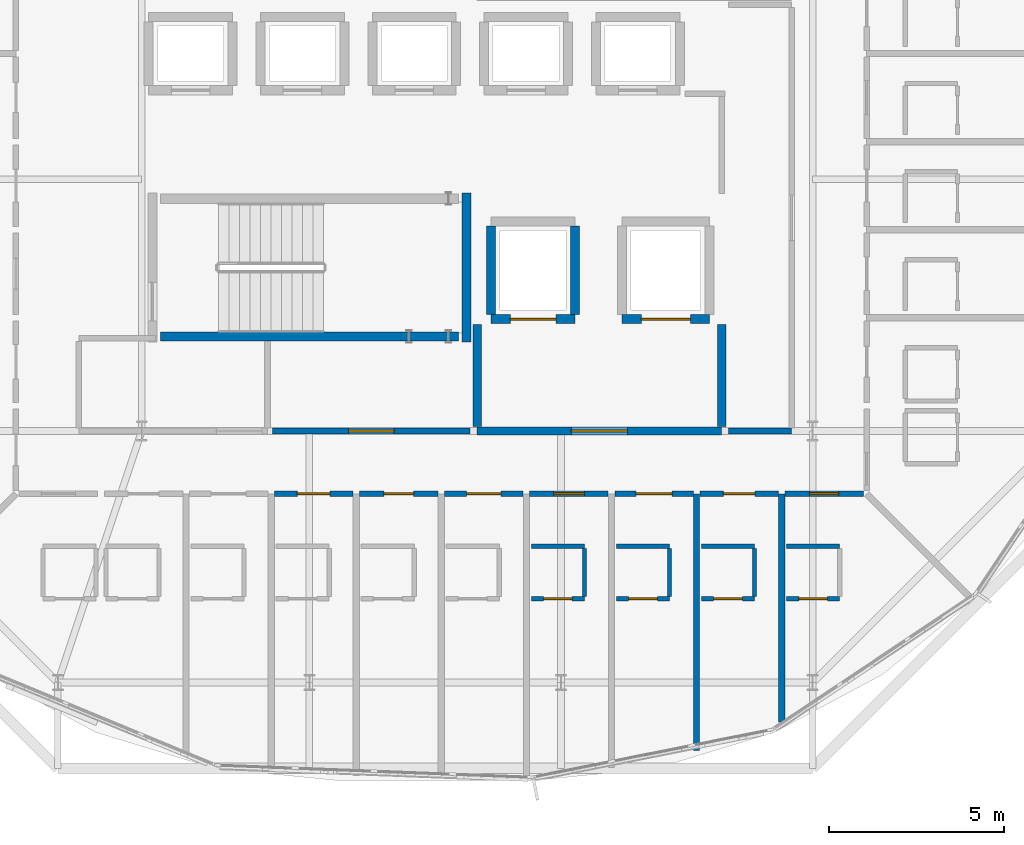
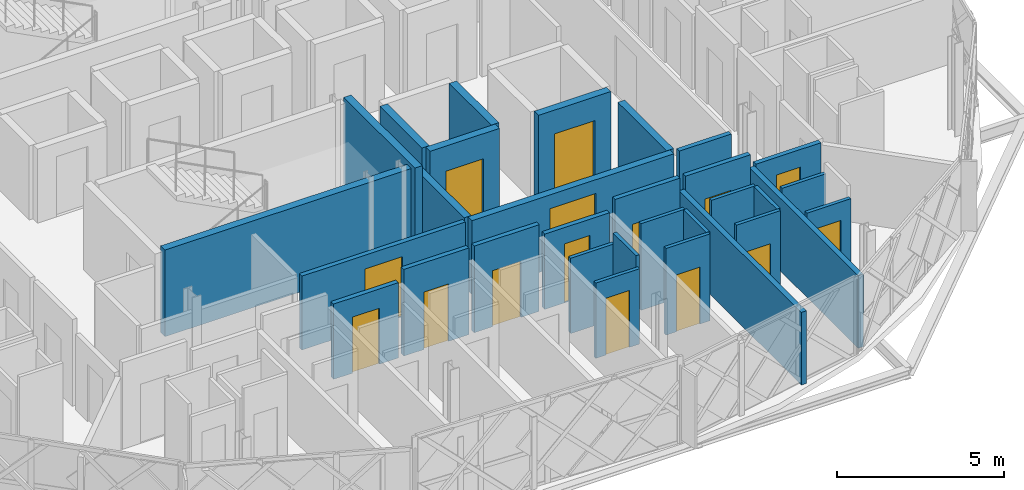
# One storey, part 14 of 24: 31 walls, 15 doors, 15 openings.
"""IFC4 building model written with IfcOpenShell, lengths in metres."""

import ifcopenshell
import ifcopenshell.guid

model = None  # the IFC model being written
_history = None  # IfcOwnerHistory: only IFC2X3 demands one
_inside = {}  # id of a spatial element -> (the spatial element, [elements in it])
_under = {}  # id of a project, library or spatial element -> (it, [spatial elements below it])
_declared = {}  # id of a project -> (the project, [libraries it declares])
_typed = {}  # id of a type object -> (the type object, [elements of that type])
_made_of = {}  # id of a material, layer set ... -> (it, [elements and type objects made of it])


def new_model(schema):
    """Start an empty IFC model of exactly this schema.

    Asked for "IFC4X3", IfcOpenShell would pick the latest addendum, in which some entities
    have other attributes; the version numbers below select the first issue.
    IFC2X3 requires an IfcOwnerHistory on every rooted entity: one is made here for all.
    """
    global model, _history
    if schema == "IFC4X3":
        model = ifcopenshell.file(schema_version=(4, 3, 0, 0))
    else:
        model = ifcopenshell.file(schema=schema)
    _inside.clear()
    _under.clear()
    _declared.clear()
    _typed.clear()
    _made_of.clear()
    _history = None
    if model.schema == "IFC2X3":
        org = make("IfcOrganization", Name="unknown")
        user = make(
            "IfcPersonAndOrganization",
            ThePerson=make("IfcPerson", FamilyName="unknown"),
            TheOrganization=org,
        )
        app = make(
            "IfcApplication",
            ApplicationDeveloper=org,
            Version="unknown",
            ApplicationFullName="unknown",
            ApplicationIdentifier="unknown",
        )
        _history = make(
            "IfcOwnerHistory",
            OwningUser=user,
            OwningApplication=app,
            ChangeAction="ADDED",
            CreationDate=0,
        )
    return model


def make(cls, **values):
    """One entity of the class cls with the attributes given. An attribute that is None is left unset."""
    return model.create_entity(
        cls, **{name: value for name, value in values.items() if value is not None}
    )


def rooted(cls, **values):
    """An entity with a GlobalId (a new one), such as an element, a storey or a relation."""
    return make(cls, GlobalId=ifcopenshell.guid.new(), OwnerHistory=_history, **values)


def si_unit(unit_type, name, prefix=None):
    """IfcSIUnit, for example si_unit("LENGTHUNIT", "METRE", prefix="MILLI")."""
    return make("IfcSIUnit", UnitType=unit_type, Prefix=prefix, Name=name)


def assignment(units):
    """IfcUnitAssignment: the units of a project."""
    return None if units is None else make("IfcUnitAssignment", Units=units)


def point(xyz):
    """IfcCartesianPoint."""
    return None if xyz is None else make("IfcCartesianPoint", Coordinates=xyz)


def direction(xyz):
    """IfcDirection."""
    return None if xyz is None else make("IfcDirection", DirectionRatios=xyz)


def frame(location, z_axis=None, x_axis=None):
    """IfcAxis2Placement3D, a coordinate frame: its origin and axes. An axis left out is left unset."""
    return make(
        "IfcAxis2Placement3D",
        Location=point(location),
        Axis=direction(z_axis),
        RefDirection=direction(x_axis),
    )


def frame_2d(location, x_axis=None):
    """IfcAxis2Placement2D, a coordinate frame in the plane: its origin and x axis."""
    return make(
        "IfcAxis2Placement2D", Location=point(location), RefDirection=direction(x_axis)
    )


def origin():
    """The frame at (0, 0, 0) with its axes left unset."""
    return frame((0.0, 0.0, 0.0))


def place(relative_to, where):
    """IfcLocalPlacement: puts the frame where relative to a parent placement (None: the world)."""
    return make(
        "IfcLocalPlacement", PlacementRelTo=relative_to, RelativePlacement=where
    )


def context(
    kind, dimensions, precision=None, world=None, true_north=None, identifier=None
):
    """IfcGeometricRepresentationContext, for example the 3D "Model" context."""
    return make(
        "IfcGeometricRepresentationContext",
        ContextIdentifier=identifier,
        ContextType=kind,
        CoordinateSpaceDimension=dimensions,
        Precision=precision,
        WorldCoordinateSystem=world,
        TrueNorth=true_north,
    )


def subcontext(parent, identifier, kind, view, scale=None):
    """IfcGeometricRepresentationSubContext, for example "Body" below "Model"."""
    return make(
        "IfcGeometricRepresentationSubContext",
        ContextIdentifier=identifier,
        ContextType=kind,
        ParentContext=parent,
        TargetScale=scale,
        TargetView=view,
    )


def project(units=None, contexts=None):
    """IfcProject with its units and contexts."""
    return rooted(
        "IfcProject",
        Name="project",
        RepresentationContexts=contexts,
        UnitsInContext=assignment(units),
    )


def spatial(cls, under=None, at=None, **own):
    """A site, building, storey or space (cls), placed at a placement, below another one or the project."""
    s = rooted(cls, ObjectPlacement=at, **own)
    if under is not None:
        _under.setdefault(under.id(), (under, []))[1].append(s)
    return s


def profile(cls, at=None, kind="AREA", **sizes):
    """A parametric profile (cls). Its sizes go by their IFC names, for example OverallWidth=200.0."""
    return make(cls, ProfileType=kind, Position=at, **sizes)


def rectangle(**sizes):
    """IfcRectangleProfileDef."""
    return profile("IfcRectangleProfileDef", **sizes)


def extrude(swept, where, along, depth):
    """IfcExtrudedAreaSolid: the profile swept, set in the frame where, extruded along a direction by depth."""
    return make(
        "IfcExtrudedAreaSolid",
        SweptArea=swept,
        Position=where,
        ExtrudedDirection=direction(along),
        Depth=depth,
    )


def shape(context_of_items, identifier, shape_type, items):
    """IfcShapeRepresentation: the items that make up one representation, for example the "Body"."""
    return make(
        "IfcShapeRepresentation",
        ContextOfItems=context_of_items,
        RepresentationIdentifier=identifier,
        RepresentationType=shape_type,
        Items=items,
    )


def material(Name=None, Category=None):
    """IfcMaterial."""
    return make("IfcMaterial", Name=Name, Category=Category)


def layer(
    of_material, thickness, ventilated=None, Name=None, Category=None, Priority=None
):
    """IfcMaterialLayer: one layer of a wall or slab, of a material (None: an air gap)."""
    return make(
        "IfcMaterialLayer",
        Material=of_material,
        LayerThickness=thickness,
        IsVentilated=ventilated,
        Name=Name,
        Category=Category,
        Priority=Priority,
    )


def layer_set(layers, Name=None):
    """IfcMaterialLayerSet."""
    return make("IfcMaterialLayerSet", MaterialLayers=layers, LayerSetName=Name)


def made_of(thing, what):
    """Note that an element or type object is made of a material, layer set ...; save() writes the relation."""
    if what is not None:
        _made_of.setdefault(what.id(), (what, []))[1].append(thing)
    return thing


def type_object(cls, material=None, **own):
    """A type object (cls), such as IfcWallType, which elements share."""
    return made_of(rooted(cls, **own), material)


def element(
    cls,
    number,
    at=None,
    inside=None,
    cuts=None,
    type_object=None,
    material=None,
    context=None,
    identifier="Body",
    shape_type=None,
    held_by="IfcProductDefinitionShape",
    body=None,
    shapes=None,
    **own,
):
    """One element of the class cls, such as IfcWall. Its Tag is "e" and its number.

    at: its placement. inside: the storey or other place that contains it. cuts: it is an
    opening in that element (IfcRelVoidsElement). A single representation is given by context,
    identifier, shape_type and body (its items); several are given by shapes. held_by: the class
    of the entity that holds the representations. save() writes the other relations.
    """
    e = rooted(cls, Tag="e%d" % number, ObjectPlacement=at, **own)
    if body is not None:
        shapes = [shape(context, identifier, shape_type, body)]
    if shapes is not None:
        e.Representation = make(held_by, Representations=shapes)
    if inside is not None:
        _inside.setdefault(inside.id(), (inside, []))[1].append(e)
    if cuts is not None:
        rooted(
            "IfcRelVoidsElement", RelatingBuildingElement=cuts, RelatedOpeningElement=e
        )
    if type_object is not None:
        _typed.setdefault(type_object.id(), (type_object, []))[1].append(e)
    return made_of(e, material)


def fill(opening, filler):
    """IfcRelFillsElement: the door or window that sits in an opening."""
    return rooted(
        "IfcRelFillsElement",
        RelatingOpeningElement=opening,
        RelatedBuildingElement=filler,
    )


def aggregate(whole, parts):
    """IfcRelAggregates: a whole, such as a stair, and the parts it consists of."""
    return rooted("IfcRelAggregates", RelatingObject=whole, RelatedObjects=parts)


def save(model, path):
    """Write the relations noted so far, then the file.

    IfcRelAggregates (storeys below a building ...), IfcRelContainedInSpatialStructure (elements
    in a storey), IfcRelDefinesByType, IfcRelAssociatesMaterial and IfcRelDeclares: one each for
    every whole, place, type object, material and project.
    """
    for whole, parts in _under.values():
        aggregate(whole, parts)
    for where, things in _inside.values():
        rooted(
            "IfcRelContainedInSpatialStructure",
            RelatedElements=things,
            RelatingStructure=where,
        )
    for kind, things in _typed.values():
        rooted("IfcRelDefinesByType", RelatedObjects=things, RelatingType=kind)
    for what, things in _made_of.values():
        rooted("IfcRelAssociatesMaterial", RelatedObjects=things, RelatingMaterial=what)
    for by, libraries in _declared.values():
        rooted("IfcRelDeclares", RelatingContext=by, RelatedDefinitions=libraries)
    model.write(path)


model = new_model("IFC4")

# Units and contexts
model_context = context("Model", 3, precision=1e-05, world=origin(), true_north=direction((0.0, 1.0)))
body_context = subcontext(model_context, "Body", "Model", "MODEL_VIEW")
ifc_project = project(units=[si_unit("LENGTHUNIT", "METRE"), si_unit("AREAUNIT", "SQUARE_METRE"), si_unit("VOLUMEUNIT", "CUBIC_METRE"), si_unit("PLANEANGLEUNIT", "RADIAN"), si_unit("MASSUNIT", "GRAM", prefix="KILO")], contexts=[model_context])

# Site, building, storey
site_placement = place(None, origin())
site = spatial("IfcSite", under=ifc_project, at=site_placement, CompositionType="ELEMENT")
building_placement = place(site_placement, origin())
building = spatial("IfcBuilding", under=site, at=building_placement, Name="Zevrakil Square Congress Hotel", CompositionType="ELEMENT")
storey_placement = place(building_placement, frame((0.0, 0.0, 31.699951171875)))
storey = spatial("IfcBuildingStorey", under=building, at=storey_placement, Name="L09", CompositionType="ELEMENT", Elevation=31.699951171875)

# Wall, opening, door
ifc_material_1 = material(Name="Concrete C35/45", Category="concrete")
ifc_layer_1 = layer(ifc_material_1, 0.239990234375)
ifc_layer_set_1 = layer_set([ifc_layer_1], Name="Concrete C35/45")
wall_type_1 = type_object("IfcWallType", Name="WAL-COMP-240", PredefinedType="SOLIDWALL", material=ifc_layer_set_1)
wall_1_placement = place(storey_placement, frame((146.39990234375, 16.800048828125, 0.0), z_axis=(0.0, 0.0, 1.0), x_axis=(1.0, 0.0, 0.0)))
wall_1 = element("IfcWall", 1, at=wall_1_placement, inside=storey, type_object=wall_type_1, Name="L09 interior partition PW-L09-1348", PredefinedType="SOLIDWALL", context=body_context, shape_type="SweptSolid", body=[
    extrude(rectangle(XDim=7.0, YDim=0.239990234375, at=frame_2d((3.5, 0.0))), origin(), (0.0, 0.0, 1.0), 2.705078125),
])
opening_1_placement = place(wall_1_placement, frame((2.699951171875, 0.0, 0.0)))
opening_1 = element("IfcOpeningElement", 2, at=opening_1_placement, cuts=wall_1, Name="Opening FD90-D", PredefinedType="OPENING", context=body_context, shape_type="SweptSolid", body=[
    extrude(rectangle(XDim=1.60009765625, YDim=2.199951171875, at=frame_2d((0.800048828125, 1.10009765625))), frame((0.0, 0.1298828125, 0.0), z_axis=(0.0, -1.0, 0.0), x_axis=(1.0, 0.0, 0.0)), (0.0, 0.0, 1.0), 0.260009765625),
])
ifc_material_2 = material(Name="Steel S355 Double Fire Door", Category="steel")
door_type_1 = type_object("IfcDoorType", Name="DOR-FFLOB-FD90-160", OperationType="NOTDEFINED", PredefinedType="DOOR", material=ifc_material_2)
door_1_placement = place(opening_1_placement, origin())
door_1 = element("IfcDoor", 3, at=door_1_placement, inside=storey, type_object=door_type_1, Name="L09 interior door 527", OperationType="DOUBLE_DOOR_SINGLE_SWING", OverallHeight=2.199951171875, OverallWidth=1.60009765625, PredefinedType="DOOR", context=body_context, shape_type="SweptSolid", body=[
    extrude(rectangle(XDim=1.60009765625, YDim=2.199951171875, at=frame_2d((0.800048828125, 1.10009765625))), frame((0.0, 0.02490234375, 0.0), z_axis=(0.0, -1.0, 0.0), x_axis=(1.0, 0.0, 0.0)), (0.0, 0.0, 1.0), 0.050048828125),
])
fill(opening_1, door_1)

# Walls
for number, where, z_axis, x_axis, name in (
    (4, (146.39990234375, 16.925048828125, 0.0), (0.0, 0.0, 1.0), (0.0, 1.0, 0.0), "L09 interior partition PW-L09-1349"),
    (5, (153.39990234375, 16.925048828125, 0.0), (0.0, 0.0, 1.0), (0.0, 1.0, 0.0), "L09 interior partition PW-L09-1350"),
):
    element("IfcWall", number, at=place(storey_placement, frame(where, z_axis=z_axis, x_axis=x_axis)), inside=storey, type_object=wall_type_1, Name=name, PredefinedType="SOLIDWALL", context=body_context, shape_type="SweptSolid", body=[
        extrude(rectangle(XDim=2.925048828125, YDim=0.239990234375, at=frame_2d((1.46240234375, 0.0))), origin(), (0.0, 0.0, 1.0), 2.705078125),
    ])

# Wall, opening, door
ifc_material_3 = material(Name="Gypsum Acoustic Stud Partition")
ifc_layer_2 = layer(ifc_material_3, 0.159912109375)
ifc_layer_set_2 = layer_set([ifc_layer_2], Name="Gypsum Acoustic Stud Partition")
wall_type_2 = type_object("IfcWallType", Name="WAL-CORR-160", PredefinedType="PARTITIONING", material=ifc_layer_set_2)
wall_2_placement = place(storey_placement, frame((140.550048828125, 16.800048828125, 0.0), z_axis=(0.0, 0.0, 1.0), x_axis=(1.0, 0.0, 0.0)))
wall_2 = element("IfcWall", 6, at=wall_2_placement, inside=storey, type_object=wall_type_2, Name="L09 interior partition PW-L09-1355", PredefinedType="PARTITIONING", context=body_context, shape_type="SweptSolid", body=[
    extrude(rectangle(XDim=5.64990234375, YDim=0.159912109375, at=frame_2d((2.824951171875, 0.0))), origin(), (0.0, 0.0, 1.0), 2.705078125),
])
opening_2_placement = place(wall_2_placement, frame((2.175048828125, 0.0, 0.0)))
opening_2 = element("IfcOpeningElement", 7, at=opening_2_placement, cuts=wall_2, Name="Opening ID-08", PredefinedType="OPENING", context=body_context, shape_type="SweptSolid", body=[
    extrude(rectangle(XDim=1.300048828125, YDim=2.199951171875, at=frame_2d((0.64990234375, 1.10009765625))), frame((0.0, 0.08984375, 0.0), z_axis=(0.0, -1.0, 0.0), x_axis=(1.0, 0.0, 0.0)), (0.0, 0.0, 1.0), 0.179931640625),
])
ifc_material_4 = material(Name="Service Corridor Leaf-and-Half Door")
door_type_2 = type_object("IfcDoorType", Name="DOR-BOH-130", OperationType="NOTDEFINED", PredefinedType="DOOR", material=ifc_material_4)
door_2_placement = place(opening_2_placement, origin())
door_2 = element("IfcDoor", 8, at=door_2_placement, inside=storey, type_object=door_type_2, Name="L09 interior door 529", OperationType="SINGLE_SWING_LEFT", OverallHeight=2.199951171875, OverallWidth=1.300048828125, PredefinedType="DOOR", context=body_context, shape_type="SweptSolid", body=[
    extrude(rectangle(XDim=1.300048828125, YDim=2.199951171875, at=frame_2d((0.64990234375, 1.10009765625))), frame((0.0, 0.02490234375, 0.0), z_axis=(0.0, -1.0, 0.0), x_axis=(1.0, 0.0, 0.0)), (0.0, 0.0, 1.0), 0.050048828125),
])
fill(opening_2, door_2)

# Wall
wall_3_placement = place(storey_placement, frame((153.60009765625, 16.800048828125, 0.0), z_axis=(0.0, 0.0, 1.0), x_axis=(1.0, 0.0, 0.0)))
element("IfcWall", 9, at=wall_3_placement, inside=storey, type_object=wall_type_2, Name="L09 interior partition PW-L09-1364", PredefinedType="PARTITIONING", context=body_context, shape_type="SweptSolid", body=[
    extrude(rectangle(XDim=1.7998046875, YDim=0.159912109375, at=frame_2d((0.89990234375, 0.0))), origin(), (0.0, 0.0, 1.0), 2.705078125),
])

# Wall, opening, door
wall_4_placement = place(storey_placement, frame((140.60009765625, 15.0, 0.0), z_axis=(0.0, 0.0, 1.0), x_axis=(1.0, 0.0, 0.0)))
wall_4 = element("IfcWall", 10, at=wall_4_placement, inside=storey, type_object=wall_type_2, Name="L09 interior partition PW-L09-1387", PredefinedType="PARTITIONING", context=body_context, shape_type="SweptSolid", body=[
    extrude(rectangle(XDim=2.244873046875, YDim=0.159912109375, at=frame_2d((1.12255859375, 0.0))), origin(), (0.0, 0.0, 1.0), 2.755126953125),
])
opening_3_placement = place(wall_4_placement, frame((0.657470703125, 0.0, 0.0)))
opening_3 = element("IfcOpeningElement", 11, at=opening_3_placement, cuts=wall_4, Name="Opening ID-G04", PredefinedType="OPENING", context=body_context, shape_type="SweptSolid", body=[
    extrude(rectangle(XDim=0.929931640625, YDim=2.050048828125, at=frame_2d((0.46484375, 1.02490234375))), frame((0.0, 0.08984375, 0.0), z_axis=(0.0, -1.0, 0.0), x_axis=(1.0, 0.0, 0.0)), (0.0, 0.0, 1.0), 0.179931640625),
])
ifc_material_5 = material(Name="Acoustic Timber Fire Door", Category="wood")
door_type_3 = type_object("IfcDoorType", Name="DOR-INT-G04", OperationType="NOTDEFINED", PredefinedType="DOOR", material=ifc_material_5)
door_3_placement = place(opening_3_placement, origin())
door_3 = element("IfcDoor", 12, at=door_3_placement, inside=storey, type_object=door_type_3, Name="L09 interior door 540", OperationType="SINGLE_SWING_RIGHT", OverallHeight=2.050048828125, OverallWidth=0.929931640625, PredefinedType="DOOR", context=body_context, shape_type="SweptSolid", body=[
    extrude(rectangle(XDim=0.929931640625, YDim=2.050048828125, at=frame_2d((0.46484375, 1.02490234375))), frame((0.0, 0.02490234375, 0.0), z_axis=(0.0, -1.0, 0.0), x_axis=(1.0, 0.0, 0.0)), (0.0, 0.0, 1.0), 0.050048828125),
])
fill(opening_3, door_3)

wall_5_placement = place(storey_placement, frame((143.034912109375, 15.0, 0.0), z_axis=(0.0, 0.0, 1.0), x_axis=(1.0, 0.0, 0.0)))
wall_5 = element("IfcWall", 13, at=wall_5_placement, inside=storey, type_object=wall_type_2, Name="L09 interior partition PW-L09-1392", PredefinedType="PARTITIONING", context=body_context, shape_type="SweptSolid", body=[
    extrude(rectangle(XDim=2.2451171875, YDim=0.159912109375, at=frame_2d((1.12255859375, 0.0))), origin(), (0.0, 0.0, 1.0), 3.170166015625),
])
opening_4_placement = place(wall_5_placement, frame((0.696533203125, 0.0, 0.0)))
opening_4 = element("IfcOpeningElement", 14, at=opening_4_placement, cuts=wall_5, Name="Opening ID-H01", PredefinedType="OPENING", context=body_context, shape_type="SweptSolid", body=[
    extrude(rectangle(XDim=0.85205078125, YDim=2.10009765625, at=frame_2d((0.426025390625, 1.050048828125))), frame((0.0, 0.08984375, 0.0), z_axis=(0.0, -1.0, 0.0), x_axis=(1.0, 0.0, 0.0)), (0.0, 0.0, 1.0), 0.179931640625),
])
ifc_material_6 = material(Name="Acoustic Timber Fire Door", Category="wood")
door_type_4 = type_object("IfcDoorType", Name="DOR-INT-H01", OperationType="NOTDEFINED", PredefinedType="DOOR", material=ifc_material_6)
door_4_placement = place(opening_4_placement, origin())
door_4 = element("IfcDoor", 15, at=door_4_placement, inside=storey, type_object=door_type_4, Name="L09 interior door 542", OperationType="SINGLE_SWING_RIGHT", OverallHeight=2.10009765625, OverallWidth=0.85205078125, PredefinedType="DOOR", context=body_context, shape_type="SweptSolid", body=[
    extrude(rectangle(XDim=0.85205078125, YDim=2.10009765625, at=frame_2d((0.426025390625, 1.050048828125))), frame((0.0, 0.02490234375, 0.0), z_axis=(0.0, -1.0, 0.0), x_axis=(1.0, 0.0, 0.0)), (0.0, 0.0, 1.0), 0.050048828125),
])
fill(opening_4, door_4)

wall_6_placement = place(storey_placement, frame((145.469970703125, 15.0, 0.0), z_axis=(0.0, 0.0, 1.0), x_axis=(1.0, 0.0, 0.0)))
wall_6 = element("IfcWall", 16, at=wall_6_placement, inside=storey, type_object=wall_type_2, Name="L09 interior partition PW-L09-1397", PredefinedType="PARTITIONING", context=body_context, shape_type="SweptSolid", body=[
    extrude(rectangle(XDim=2.2451171875, YDim=0.159912109375, at=frame_2d((1.12255859375, 0.0))), origin(), (0.0, 0.0, 1.0), 3.170166015625),
])
opening_5_placement = place(wall_6_placement, frame((0.632568359375, 0.0, 0.0)))
opening_5 = element("IfcOpeningElement", 17, at=opening_5_placement, cuts=wall_6, Name="Opening ID-G06", PredefinedType="OPENING", context=body_context, shape_type="SweptSolid", body=[
    extrude(rectangle(XDim=0.97998046875, YDim=2.050048828125, at=frame_2d((0.489990234375, 1.02490234375))), frame((0.0, 0.08984375, 0.0), z_axis=(0.0, -1.0, 0.0), x_axis=(1.0, 0.0, 0.0)), (0.0, 0.0, 1.0), 0.179931640625),
])
ifc_material_7 = material(Name="Acoustic Timber Fire Door", Category="wood")
door_type_5 = type_object("IfcDoorType", Name="DOR-INT-G06", OperationType="NOTDEFINED", PredefinedType="DOOR", material=ifc_material_7)
door_5_placement = place(opening_5_placement, origin())
door_5 = element("IfcDoor", 18, at=door_5_placement, inside=storey, type_object=door_type_5, Name="L09 interior door 544", OperationType="SINGLE_SWING_RIGHT", OverallHeight=2.050048828125, OverallWidth=0.97998046875, PredefinedType="DOOR", context=body_context, shape_type="SweptSolid", body=[
    extrude(rectangle(XDim=0.97998046875, YDim=2.050048828125, at=frame_2d((0.489990234375, 1.02490234375))), frame((0.0, 0.02490234375, 0.0), z_axis=(0.0, -1.0, 0.0), x_axis=(1.0, 0.0, 0.0)), (0.0, 0.0, 1.0), 0.050048828125),
])
fill(opening_5, door_5)

wall_7_placement = place(storey_placement, frame((147.905029296875, 15.0, 0.0), z_axis=(0.0, 0.0, 1.0), x_axis=(1.0, 0.0, 0.0)))
wall_7 = element("IfcWall", 19, at=wall_7_placement, inside=storey, type_object=wall_type_2, Name="L09 interior partition PW-L09-1402", PredefinedType="PARTITIONING", context=body_context, shape_type="SweptSolid", body=[
    extrude(rectangle(XDim=2.244873046875, YDim=0.159912109375, at=frame_2d((1.12255859375, 0.0))), origin(), (0.0, 0.0, 1.0), 2.755126953125),
])
opening_6_placement = place(wall_7_placement, frame((0.6845703125, 0.0, 0.0)))
opening_6 = element("IfcOpeningElement", 20, at=opening_6_placement, cuts=wall_7, Name="Opening ID-H03", PredefinedType="OPENING", context=body_context, shape_type="SweptSolid", body=[
    extrude(rectangle(XDim=0.8759765625, YDim=2.159912109375, at=frame_2d((0.43798828125, 1.080078125))), frame((0.0, 0.08984375, 0.0), z_axis=(0.0, -1.0, 0.0), x_axis=(1.0, 0.0, 0.0)), (0.0, 0.0, 1.0), 0.179931640625),
])
ifc_material_8 = material(Name="Acoustic Timber Fire Door", Category="wood")
door_type_6 = type_object("IfcDoorType", Name="DOR-INT-H03", OperationType="NOTDEFINED", PredefinedType="DOOR", material=ifc_material_8)
door_6_placement = place(opening_6_placement, origin())
door_6 = element("IfcDoor", 21, at=door_6_placement, inside=storey, type_object=door_type_6, Name="L09 interior door 546", OperationType="SINGLE_SWING_RIGHT", OverallHeight=2.159912109375, OverallWidth=0.8759765625, PredefinedType="DOOR", context=body_context, shape_type="SweptSolid", body=[
    extrude(rectangle(XDim=0.8759765625, YDim=2.159912109375, at=frame_2d((0.43798828125, 1.080078125))), frame((0.0, 0.02490234375, 0.0), z_axis=(0.0, -1.0, 0.0), x_axis=(1.0, 0.0, 0.0)), (0.0, 0.0, 1.0), 0.050048828125),
])
fill(opening_6, door_6)

wall_8_placement = place(storey_placement, frame((150.340087890625, 15.0, 0.0), z_axis=(0.0, 0.0, 1.0), x_axis=(1.0, 0.0, 0.0)))
wall_8 = element("IfcWall", 22, at=wall_8_placement, inside=storey, type_object=wall_type_2, Name="L09 interior partition PW-L09-1407", PredefinedType="PARTITIONING", context=body_context, shape_type="SweptSolid", body=[
    extrude(rectangle(XDim=2.244873046875, YDim=0.159912109375, at=frame_2d((1.12255859375, 0.0))), origin(), (0.0, 0.0, 1.0), 3.170166015625),
])
opening_7_placement = place(wall_8_placement, frame((0.607421875, 0.0, 0.0)))
opening_7 = element("IfcOpeningElement", 23, at=opening_7_placement, cuts=wall_8, Name="Opening ID-G08", PredefinedType="OPENING", context=body_context, shape_type="SweptSolid", body=[
    extrude(rectangle(XDim=1.030029296875, YDim=2.050048828125, at=frame_2d((0.51513671875, 1.02490234375))), frame((0.0, 0.08984375, 0.0), z_axis=(0.0, -1.0, 0.0), x_axis=(1.0, 0.0, 0.0)), (0.0, 0.0, 1.0), 0.179931640625),
])
ifc_material_9 = material(Name="Acoustic Timber Fire Door", Category="wood")
door_type_7 = type_object("IfcDoorType", Name="DOR-INT-G08", OperationType="NOTDEFINED", PredefinedType="DOOR", material=ifc_material_9)
door_7_placement = place(opening_7_placement, origin())
door_7 = element("IfcDoor", 24, at=door_7_placement, inside=storey, type_object=door_type_7, Name="L09 interior door 548", OperationType="SINGLE_SWING_RIGHT", OverallHeight=2.050048828125, OverallWidth=1.030029296875, PredefinedType="DOOR", context=body_context, shape_type="SweptSolid", body=[
    extrude(rectangle(XDim=1.030029296875, YDim=2.050048828125, at=frame_2d((0.51513671875, 1.02490234375))), frame((0.0, 0.02490234375, 0.0), z_axis=(0.0, -1.0, 0.0), x_axis=(1.0, 0.0, 0.0)), (0.0, 0.0, 1.0), 0.050048828125),
])
fill(opening_7, door_7)

wall_9_placement = place(storey_placement, frame((152.77490234375, 15.0, 0.0), z_axis=(0.0, 0.0, 1.0), x_axis=(1.0, 0.0, 0.0)))
wall_9 = element("IfcWall", 25, at=wall_9_placement, inside=storey, type_object=wall_type_2, Name="L09 interior partition PW-L09-1412", PredefinedType="PARTITIONING", context=body_context, shape_type="SweptSolid", body=[
    extrude(rectangle(XDim=2.2451171875, YDim=0.159912109375, at=frame_2d((1.12255859375, 0.0))), origin(), (0.0, 0.0, 1.0), 3.170166015625),
])
opening_8_placement = place(wall_9_placement, frame((0.672607421875, 0.0, 0.0)))
opening_8 = element("IfcOpeningElement", 26, at=opening_8_placement, cuts=wall_9, Name="Opening ID-H05", PredefinedType="OPENING", context=body_context, shape_type="SweptSolid", body=[
    extrude(rectangle(XDim=0.89990234375, YDim=2.10009765625, at=frame_2d((0.449951171875, 1.050048828125))), frame((0.0, 0.08984375, 0.0), z_axis=(0.0, -1.0, 0.0), x_axis=(1.0, 0.0, 0.0)), (0.0, 0.0, 1.0), 0.179931640625),
])
ifc_material_10 = material(Name="Acoustic Timber Fire Door", Category="wood")
door_type_8 = type_object("IfcDoorType", Name="DOR-INT-H05", OperationType="NOTDEFINED", PredefinedType="DOOR", material=ifc_material_10)
door_8_placement = place(opening_8_placement, origin())
door_8 = element("IfcDoor", 27, at=door_8_placement, inside=storey, type_object=door_type_8, Name="L09 interior door 550", OperationType="SINGLE_SWING_RIGHT", OverallHeight=2.10009765625, OverallWidth=0.89990234375, PredefinedType="DOOR", context=body_context, shape_type="SweptSolid", body=[
    extrude(rectangle(XDim=0.89990234375, YDim=2.10009765625, at=frame_2d((0.449951171875, 1.050048828125))), frame((0.0, 0.02490234375, 0.0), z_axis=(0.0, -1.0, 0.0), x_axis=(1.0, 0.0, 0.0)), (0.0, 0.0, 1.0), 0.050048828125),
])
fill(opening_8, door_8)

wall_10_placement = place(storey_placement, frame((155.2099609375, 15.0, 0.0), z_axis=(0.0, 0.0, 1.0), x_axis=(1.0, 0.0, 0.0)))
wall_10 = element("IfcWall", 28, at=wall_10_placement, inside=storey, type_object=wall_type_2, Name="L09 interior partition PW-L09-1417", PredefinedType="PARTITIONING", context=body_context, shape_type="SweptSolid", body=[
    extrude(rectangle(XDim=2.2451171875, YDim=0.159912109375, at=frame_2d((1.12255859375, 0.0))), origin(), (0.0, 0.0, 1.0), 2.755126953125),
])
opening_9_placement = place(wall_10_placement, frame((0.70751953125, 0.0, 0.0)))
opening_9 = element("IfcOpeningElement", 29, at=opening_9_placement, cuts=wall_10, Name="Opening ID-G10", PredefinedType="OPENING", context=body_context, shape_type="SweptSolid", body=[
    extrude(rectangle(XDim=0.830078125, YDim=2.110107421875, at=frame_2d((0.4150390625, 1.05517578125))), frame((0.0, 0.08984375, 0.0), z_axis=(0.0, -1.0, 0.0), x_axis=(1.0, 0.0, 0.0)), (0.0, 0.0, 1.0), 0.179931640625),
])
ifc_material_11 = material(Name="Acoustic Timber Fire Door", Category="wood")
door_type_9 = type_object("IfcDoorType", Name="DOR-INT-G10", OperationType="NOTDEFINED", PredefinedType="DOOR", material=ifc_material_11)
door_9_placement = place(opening_9_placement, origin())
door_9 = element("IfcDoor", 30, at=door_9_placement, inside=storey, type_object=door_type_9, Name="L09 interior door 552", OperationType="SINGLE_SWING_RIGHT", OverallHeight=2.110107421875, OverallWidth=0.830078125, PredefinedType="DOOR", context=body_context, shape_type="SweptSolid", body=[
    extrude(rectangle(XDim=0.830078125, YDim=2.110107421875, at=frame_2d((0.4150390625, 1.05517578125))), frame((0.0, 0.02490234375, 0.0), z_axis=(0.0, -1.0, 0.0), x_axis=(1.0, 0.0, 0.0)), (0.0, 0.0, 1.0), 0.050048828125),
])
fill(opening_9, door_9)

ifc_material_12 = material(Name="Moisture-Resistant Gypsum Partition")
ifc_layer_3 = layer(ifc_material_12, 0.1201171875)
ifc_layer_set_3 = layer_set([ifc_layer_3], Name="Moisture-Resistant Gypsum Partition")
wall_type_3 = type_object("IfcWallType", Name="WAL-ENS-120", PredefinedType="PARTITIONING", material=ifc_layer_set_3)
wall_11_placement = place(storey_placement, frame((147.949951171875, 12.0, 0.0), z_axis=(0.0, 0.0, 1.0), x_axis=(1.0, 0.0, 0.0)))
wall_11 = element("IfcWall", 31, at=wall_11_placement, inside=storey, type_object=wall_type_3, Name="L09 interior partition PW-L09-1403", PredefinedType="PARTITIONING", context=body_context, shape_type="SweptSolid", body=[
    extrude(rectangle(XDim=1.52001953125, YDim=0.1201171875, at=frame_2d((0.760009765625, 0.0))), origin(), (0.0, 0.0, 1.0), 2.755126953125),
])
opening_10_placement = place(wall_11_placement, frame((0.35009765625, 0.0, 0.0)))
opening_10 = element("IfcOpeningElement", 32, at=opening_10_placement, cuts=wall_11, Name="Opening ID-11", PredefinedType="OPENING", context=body_context, shape_type="SweptSolid", body=[
    extrude(rectangle(XDim=0.820068359375, YDim=2.080078125, at=frame_2d((0.41015625, 1.0400390625))), frame((0.0, 0.070068359375, 0.0), z_axis=(0.0, -1.0, 0.0), x_axis=(1.0, 0.0, 0.0)), (0.0, 0.0, 1.0), 0.14013671875),
])
ifc_material_13 = material(Name="Acoustic Timber Door", Category="wood")
door_type_10 = type_object("IfcDoorType", Name="DOR-INT-V01", OperationType="NOTDEFINED", PredefinedType="DOOR", material=ifc_material_13)
door_10_placement = place(opening_10_placement, origin())
door_10 = element("IfcDoor", 33, at=door_10_placement, inside=storey, type_object=door_type_10, Name="L09 interior door 547", OperationType="SINGLE_SWING_LEFT", OverallHeight=2.080078125, OverallWidth=0.820068359375, PredefinedType="DOOR", context=body_context, shape_type="SweptSolid", body=[
    extrude(rectangle(XDim=0.820068359375, YDim=2.080078125, at=frame_2d((0.41015625, 1.0400390625))), frame((0.0, 0.02490234375, 0.0), z_axis=(0.0, -1.0, 0.0), x_axis=(1.0, 0.0, 0.0)), (0.0, 0.0, 1.0), 0.050048828125),
])
fill(opening_10, door_10)

# Walls
wall_12_placement = place(storey_placement, frame((147.949951171875, 13.5, 0.0), z_axis=(0.0, 0.0, 1.0), x_axis=(1.0, 0.0, 0.0)))
element("IfcWall", 34, at=wall_12_placement, inside=storey, type_object=wall_type_3, Name="L09 interior partition PW-L09-1404", PredefinedType="PARTITIONING", context=body_context, shape_type="SweptSolid", body=[
    extrude(rectangle(XDim=1.52001953125, YDim=0.1201171875, at=frame_2d((0.760009765625, 0.0))), origin(), (0.0, 0.0, 1.0), 2.755126953125),
])
wall_13_placement = place(storey_placement, frame((149.469970703125, 12.06494140625, 0.0), z_axis=(0.0, 0.0, 1.0), x_axis=(0.0, 1.0, 0.0)))
element("IfcWall", 35, at=wall_13_placement, inside=storey, type_object=wall_type_3, Name="L09 interior partition PW-L09-1405", PredefinedType="PARTITIONING", context=body_context, shape_type="SweptSolid", body=[
    extrude(rectangle(XDim=1.3701171875, YDim=0.1201171875, at=frame_2d((0.68505859375, 0.0))), origin(), (0.0, 0.0, 1.0), 3.170166015625),
])

# Wall, opening, door
wall_14_placement = place(storey_placement, frame((150.385009765625, 12.0, 0.0), z_axis=(0.0, 0.0, 1.0), x_axis=(1.0, 0.0, 0.0)))
wall_14 = element("IfcWall", 36, at=wall_14_placement, inside=storey, type_object=wall_type_3, Name="L09 interior partition PW-L09-1408", PredefinedType="PARTITIONING", context=body_context, shape_type="SweptSolid", body=[
    extrude(rectangle(XDim=1.52001953125, YDim=0.1201171875, at=frame_2d((0.760009765625, 0.0))), origin(), (0.0, 0.0, 1.0), 3.170166015625),
])
opening_11_placement = place(wall_14_placement, frame((0.35009765625, 0.0, 0.0)))
opening_11 = element("IfcOpeningElement", 37, at=opening_11_placement, cuts=wall_14, Name="Opening ID-11", PredefinedType="OPENING", context=body_context, shape_type="SweptSolid", body=[
    extrude(rectangle(XDim=0.820068359375, YDim=2.080078125, at=frame_2d((0.41015625, 1.0400390625))), frame((0.0, 0.070068359375, 0.0), z_axis=(0.0, -1.0, 0.0), x_axis=(1.0, 0.0, 0.0)), (0.0, 0.0, 1.0), 0.14013671875),
])
door_11_placement = place(opening_11_placement, origin())
door_11 = element("IfcDoor", 38, at=door_11_placement, inside=storey, type_object=door_type_10, Name="L09 interior door 549", OperationType="SINGLE_SWING_LEFT", OverallHeight=2.080078125, OverallWidth=0.820068359375, PredefinedType="DOOR", context=body_context, shape_type="SweptSolid", body=[
    extrude(rectangle(XDim=0.820068359375, YDim=2.080078125, at=frame_2d((0.41015625, 1.0400390625))), frame((0.0, 0.02490234375, 0.0), z_axis=(0.0, -1.0, 0.0), x_axis=(1.0, 0.0, 0.0)), (0.0, 0.0, 1.0), 0.050048828125),
])
fill(opening_11, door_11)

# Walls
wall_15_placement = place(storey_placement, frame((150.385009765625, 13.5, 0.0), z_axis=(0.0, 0.0, 1.0), x_axis=(1.0, 0.0, 0.0)))
element("IfcWall", 39, at=wall_15_placement, inside=storey, type_object=wall_type_3, Name="L09 interior partition PW-L09-1409", PredefinedType="PARTITIONING", context=body_context, shape_type="SweptSolid", body=[
    extrude(rectangle(XDim=1.52001953125, YDim=0.1201171875, at=frame_2d((0.760009765625, 0.0))), origin(), (0.0, 0.0, 1.0), 3.170166015625),
])
wall_16_placement = place(storey_placement, frame((151.905029296875, 12.06494140625, 0.0), z_axis=(0.0, 0.0, 1.0), x_axis=(0.0, 1.0, 0.0)))
element("IfcWall", 40, at=wall_16_placement, inside=storey, type_object=wall_type_3, Name="L09 interior partition PW-L09-1410", PredefinedType="PARTITIONING", context=body_context, shape_type="SweptSolid", body=[
    extrude(rectangle(XDim=1.3701171875, YDim=0.1201171875, at=frame_2d((0.68505859375, 0.0))), origin(), (0.0, 0.0, 1.0), 3.170166015625),
])

# Wall, opening, door
wall_17_placement = place(storey_placement, frame((152.820068359375, 12.0, 0.0), z_axis=(0.0, 0.0, 1.0), x_axis=(1.0, 0.0, 0.0)))
wall_17 = element("IfcWall", 41, at=wall_17_placement, inside=storey, type_object=wall_type_3, Name="L09 interior partition PW-L09-1413", PredefinedType="PARTITIONING", context=body_context, shape_type="SweptSolid", body=[
    extrude(rectangle(XDim=1.52001953125, YDim=0.1201171875, at=frame_2d((0.760009765625, 0.0))), origin(), (0.0, 0.0, 1.0), 3.170166015625),
])
opening_12_placement = place(wall_17_placement, frame((0.35009765625, 0.0, 0.0)))
opening_12 = element("IfcOpeningElement", 42, at=opening_12_placement, cuts=wall_17, Name="Opening ID-11", PredefinedType="OPENING", context=body_context, shape_type="SweptSolid", body=[
    extrude(rectangle(XDim=0.820068359375, YDim=2.080078125, at=frame_2d((0.41015625, 1.0400390625))), frame((0.0, 0.070068359375, 0.0), z_axis=(0.0, -1.0, 0.0), x_axis=(1.0, 0.0, 0.0)), (0.0, 0.0, 1.0), 0.14013671875),
])
door_12_placement = place(opening_12_placement, origin())
door_12 = element("IfcDoor", 43, at=door_12_placement, inside=storey, type_object=door_type_10, Name="L09 interior door 551", OperationType="SINGLE_SWING_LEFT", OverallHeight=2.080078125, OverallWidth=0.820068359375, PredefinedType="DOOR", context=body_context, shape_type="SweptSolid", body=[
    extrude(rectangle(XDim=0.820068359375, YDim=2.080078125, at=frame_2d((0.41015625, 1.0400390625))), frame((0.0, 0.02490234375, 0.0), z_axis=(0.0, -1.0, 0.0), x_axis=(1.0, 0.0, 0.0)), (0.0, 0.0, 1.0), 0.050048828125),
])
fill(opening_12, door_12)

# Walls
wall_18_placement = place(storey_placement, frame((152.820068359375, 13.5, 0.0), z_axis=(0.0, 0.0, 1.0), x_axis=(1.0, 0.0, 0.0)))
element("IfcWall", 44, at=wall_18_placement, inside=storey, type_object=wall_type_3, Name="L09 interior partition PW-L09-1414", PredefinedType="PARTITIONING", context=body_context, shape_type="SweptSolid", body=[
    extrude(rectangle(XDim=1.52001953125, YDim=0.1201171875, at=frame_2d((0.760009765625, 0.0))), origin(), (0.0, 0.0, 1.0), 3.170166015625),
])
wall_19_placement = place(storey_placement, frame((154.340087890625, 12.06494140625, 0.0), z_axis=(0.0, 0.0, 1.0), x_axis=(0.0, 1.0, 0.0)))
element("IfcWall", 45, at=wall_19_placement, inside=storey, type_object=wall_type_3, Name="L09 interior partition PW-L09-1415", PredefinedType="PARTITIONING", context=body_context, shape_type="SweptSolid", body=[
    extrude(rectangle(XDim=1.3701171875, YDim=0.1201171875, at=frame_2d((0.68505859375, 0.0))), origin(), (0.0, 0.0, 1.0), 3.170166015625),
])

# Wall, opening, door
wall_20_placement = place(storey_placement, frame((155.2548828125, 12.0, 0.0), z_axis=(0.0, 0.0, 1.0), x_axis=(1.0, 0.0, 0.0)))
wall_20 = element("IfcWall", 46, at=wall_20_placement, inside=storey, type_object=wall_type_3, Name="L09 interior partition PW-L09-1418", PredefinedType="PARTITIONING", context=body_context, shape_type="SweptSolid", body=[
    extrude(rectangle(XDim=1.52001953125, YDim=0.1201171875, at=frame_2d((0.760009765625, 0.0))), origin(), (0.0, 0.0, 1.0), 2.755126953125),
])
opening_13_placement = place(wall_20_placement, frame((0.35009765625, 0.0, 0.0)))
opening_13 = element("IfcOpeningElement", 47, at=opening_13_placement, cuts=wall_20, Name="Opening ID-11", PredefinedType="OPENING", context=body_context, shape_type="SweptSolid", body=[
    extrude(rectangle(XDim=0.820068359375, YDim=2.080078125, at=frame_2d((0.41015625, 1.0400390625))), frame((0.0, 0.070068359375, 0.0), z_axis=(0.0, -1.0, 0.0), x_axis=(1.0, 0.0, 0.0)), (0.0, 0.0, 1.0), 0.14013671875),
])
door_13_placement = place(opening_13_placement, origin())
door_13 = element("IfcDoor", 48, at=door_13_placement, inside=storey, type_object=door_type_10, Name="L09 interior door 553", OperationType="SINGLE_SWING_LEFT", OverallHeight=2.080078125, OverallWidth=0.820068359375, PredefinedType="DOOR", context=body_context, shape_type="SweptSolid", body=[
    extrude(rectangle(XDim=0.820068359375, YDim=2.080078125, at=frame_2d((0.41015625, 1.0400390625))), frame((0.0, 0.02490234375, 0.0), z_axis=(0.0, -1.0, 0.0), x_axis=(1.0, 0.0, 0.0)), (0.0, 0.0, 1.0), 0.050048828125),
])
fill(opening_13, door_13)

# Walls
wall_21_placement = place(storey_placement, frame((155.2548828125, 13.5, 0.0), z_axis=(0.0, 0.0, 1.0), x_axis=(1.0, 0.0, 0.0)))
element("IfcWall", 49, at=wall_21_placement, inside=storey, type_object=wall_type_3, Name="L09 interior partition PW-L09-1419", PredefinedType="PARTITIONING", context=body_context, shape_type="SweptSolid", body=[
    extrude(rectangle(XDim=1.52001953125, YDim=0.1201171875, at=frame_2d((0.760009765625, 0.0))), origin(), (0.0, 0.0, 1.0), 2.755126953125),
])
ifc_material_14 = material(Name="Gypsum Twin-Stud Party Partition")
ifc_layer_4 = layer(ifc_material_14, 0.179931640625)
ifc_layer_set_4 = layer_set([ifc_layer_4], Name="Gypsum Twin-Stud Party Partition")
wall_type_4 = type_object("IfcWallType", Name="WAL-PARTY-180", PredefinedType="PARTITIONING", material=ifc_layer_set_4)
wall_22_placement = place(storey_placement, frame((152.679931640625, 7.65771484375, 0.0), z_axis=(0.0, 0.0, 1.0), x_axis=(0.0, 1.0, 0.0)))
element("IfcWall", 50, at=wall_22_placement, inside=storey, type_object=wall_type_4, Name="L09 interior partition PW-L09-1411", PredefinedType="PARTITIONING", context=body_context, shape_type="SweptSolid", body=[
    extrude(rectangle(XDim=7.34228515625, YDim=0.179931640625, at=frame_2d((3.671142578125, 0.0))), origin(), (0.0, 0.0, 1.0), 2.655029296875),
])
wall_23_placement = place(storey_placement, frame((155.114990234375, 8.469970703125, 0.0), z_axis=(0.0, 0.0, 1.0), x_axis=(0.0, 1.0, 0.0)))
element("IfcWall", 51, at=wall_23_placement, inside=storey, type_object=wall_type_4, Name="L09 interior partition PW-L09-1416", PredefinedType="PARTITIONING", context=body_context, shape_type="SweptSolid", body=[
    extrude(rectangle(XDim=6.530029296875, YDim=0.179931640625, at=frame_2d((3.26513671875, 0.0))), origin(), (0.0, 0.0, 1.0), 2.655029296875),
])
ifc_material_15 = material(Name="Concrete C40/50", Category="concrete")
ifc_layer_5 = layer(ifc_material_15, 0.260009765625)
ifc_layer_set_5 = layer_set([ifc_layer_5], Name="Concrete C40/50")
wall_type_5 = type_object("IfcWallType", Name="WAL-SHAFT-260", PredefinedType="SHEAR", material=ifc_layer_set_5)
wall_24_placement = place(storey_placement, frame((146.094970703125, 19.340087890625, 0.0), z_axis=(0.0, 0.0, 1.0), x_axis=(0.0, 1.0, 0.0)))
element("IfcWall", 52, at=wall_24_placement, inside=storey, type_object=wall_type_5, Name="L09 ST01 stair shaft E wall", PredefinedType="SHEAR", context=body_context, shape_type="SweptSolid", body=[
    extrude(rectangle(XDim=4.27001953125, YDim=0.260009765625, at=frame_2d((2.135009765625, 0.0))), origin(), (0.0, 0.0, 1.0), 3.170166015625),
])
wall_25_placement = place(storey_placement, frame((137.340087890625, 19.5048828125, 0.0), z_axis=(0.0, 0.0, 1.0), x_axis=(1.0, 0.0, 0.0)))
element("IfcWall", 53, at=wall_25_placement, inside=storey, type_object=wall_type_5, Name="L09 ST01 stair shaft S wall", PredefinedType="SHEAR", context=body_context, shape_type="SweptSolid", body=[
    extrude(rectangle(XDim=8.52001953125, YDim=0.260009765625, at=frame_2d((4.260009765625, 0.0))), origin(), (0.0, 0.0, 1.0), 3.170166015625),
])

# Wall, opening, door
wall_26_placement = place(storey_placement, frame((146.800048828125, 20.0, 0.0), z_axis=(0.0, 0.0, 1.0), x_axis=(1.0, 0.0, 0.0)))
wall_26 = element("IfcWall", 54, at=wall_26_placement, inside=storey, type_object=wall_type_5, Name="L09 FFL1 lift shaft wall", PredefinedType="SHEAR", context=body_context, shape_type="SweptSolid", body=[
    extrude(rectangle(XDim=2.39990234375, YDim=0.260009765625, at=frame_2d((1.199951171875, 0.0))), origin(), (0.0, 0.0, 1.0), 3.170166015625),
])
opening_14_placement = place(wall_26_placement, frame((0.550048828125, 0.0, 0.0)))
opening_14 = element("IfcOpeningElement", 55, at=opening_14_placement, cuts=wall_26, Name="Opening LD-FFL1", PredefinedType="OPENING", context=body_context, shape_type="SweptSolid", body=[
    extrude(rectangle(XDim=1.300048828125, YDim=2.25, at=frame_2d((0.64990234375, 1.125))), frame((0.0, 0.14013671875, 0.0), z_axis=(0.0, -1.0, 0.0), x_axis=(1.0, 0.0, 0.0)), (0.0, 0.0, 1.0), 0.280029296875),
])
ifc_material_16 = material(Name="Stretcher Firefighting Sliding Landing Door")
door_type_11 = type_object("IfcDoorType", Name="DOR-LIFT-LD130", OperationType="NOTDEFINED", PredefinedType="DOOR", material=ifc_material_16)
door_14_placement = place(opening_14_placement, origin())
door_14 = element("IfcDoor", 56, at=door_14_placement, inside=storey, type_object=door_type_11, Name="L09 FFL1 sliding lift landing door", OperationType="SLIDING_TO_RIGHT", OverallHeight=2.25, OverallWidth=1.300048828125, PredefinedType="DOOR", context=body_context, shape_type="SweptSolid", body=[
    extrude(rectangle(XDim=1.300048828125, YDim=2.25, at=frame_2d((0.64990234375, 1.125))), frame((0.0, 0.02490234375, 0.0), z_axis=(0.0, -1.0, 0.0), x_axis=(1.0, 0.0, 0.0)), (0.0, 0.0, 1.0), 0.050048828125),
])
fill(opening_14, door_14)

# Walls
for number, where, z_axis, x_axis, name in (
    (57, (146.800048828125, 20.139892578125, 0.0), (0.0, 0.0, 1.0), (0.0, 1.0, 0.0), "L09 FFL1 lift shaft wall"),
    (58, (149.199951171875, 20.139892578125, 0.0), (0.0, 0.0, 1.0), (0.0, 1.0, 0.0), "L09 FFL1 lift shaft wall"),
):
    element("IfcWall", number, at=place(storey_placement, frame(where, z_axis=z_axis, x_axis=x_axis)), inside=storey, type_object=wall_type_5, Name=name, PredefinedType="SHEAR", context=body_context, shape_type="SweptSolid", body=[
        extrude(rectangle(XDim=2.52001953125, YDim=0.260009765625, at=frame_2d((1.260009765625, 0.0))), origin(), (0.0, 0.0, 1.0), 3.170166015625),
    ])

# Wall, opening, door
wall_27_placement = place(storey_placement, frame((150.550048828125, 20.0, 0.0), z_axis=(0.0, 0.0, 1.0), x_axis=(1.0, 0.0, 0.0)))
wall_27 = element("IfcWall", 59, at=wall_27_placement, inside=storey, type_object=wall_type_5, Name="L09 SL1 lift shaft wall", PredefinedType="SHEAR", context=body_context, shape_type="SweptSolid", body=[
    extrude(rectangle(XDim=2.5, YDim=0.260009765625, at=frame_2d((1.25, 0.0))), origin(), (0.0, 0.0, 1.0), 3.170166015625),
])
opening_15_placement = place(wall_27_placement, frame((0.550048828125, 0.0, 0.0)))
opening_15 = element("IfcOpeningElement", 60, at=opening_15_placement, cuts=wall_27, Name="Opening LD-SL1", PredefinedType="OPENING", context=body_context, shape_type="SweptSolid", body=[
    extrude(rectangle(XDim=1.39990234375, YDim=2.300048828125, at=frame_2d((0.699951171875, 1.14990234375))), frame((0.0, 0.14013671875, 0.0), z_axis=(0.0, -1.0, 0.0), x_axis=(1.0, 0.0, 0.0)), (0.0, 0.0, 1.0), 0.280029296875),
])
ifc_material_17 = material(Name="Goods Service Sliding Landing Door")
door_type_12 = type_object("IfcDoorType", Name="DOR-LIFT-LD140", OperationType="NOTDEFINED", PredefinedType="DOOR", material=ifc_material_17)
door_15_placement = place(opening_15_placement, origin())
door_15 = element("IfcDoor", 61, at=door_15_placement, inside=storey, type_object=door_type_12, Name="L09 SL1 sliding lift landing door", OperationType="SLIDING_TO_LEFT", OverallHeight=2.300048828125, OverallWidth=1.39990234375, PredefinedType="DOOR", context=body_context, shape_type="SweptSolid", body=[
    extrude(rectangle(XDim=1.39990234375, YDim=2.300048828125, at=frame_2d((0.699951171875, 1.14990234375))), frame((0.0, 0.02490234375, 0.0), z_axis=(0.0, -1.0, 0.0), x_axis=(1.0, 0.0, 0.0)), (0.0, 0.0, 1.0), 0.050048828125),
])
fill(opening_15, door_15)

save(model, "model.ifc")
